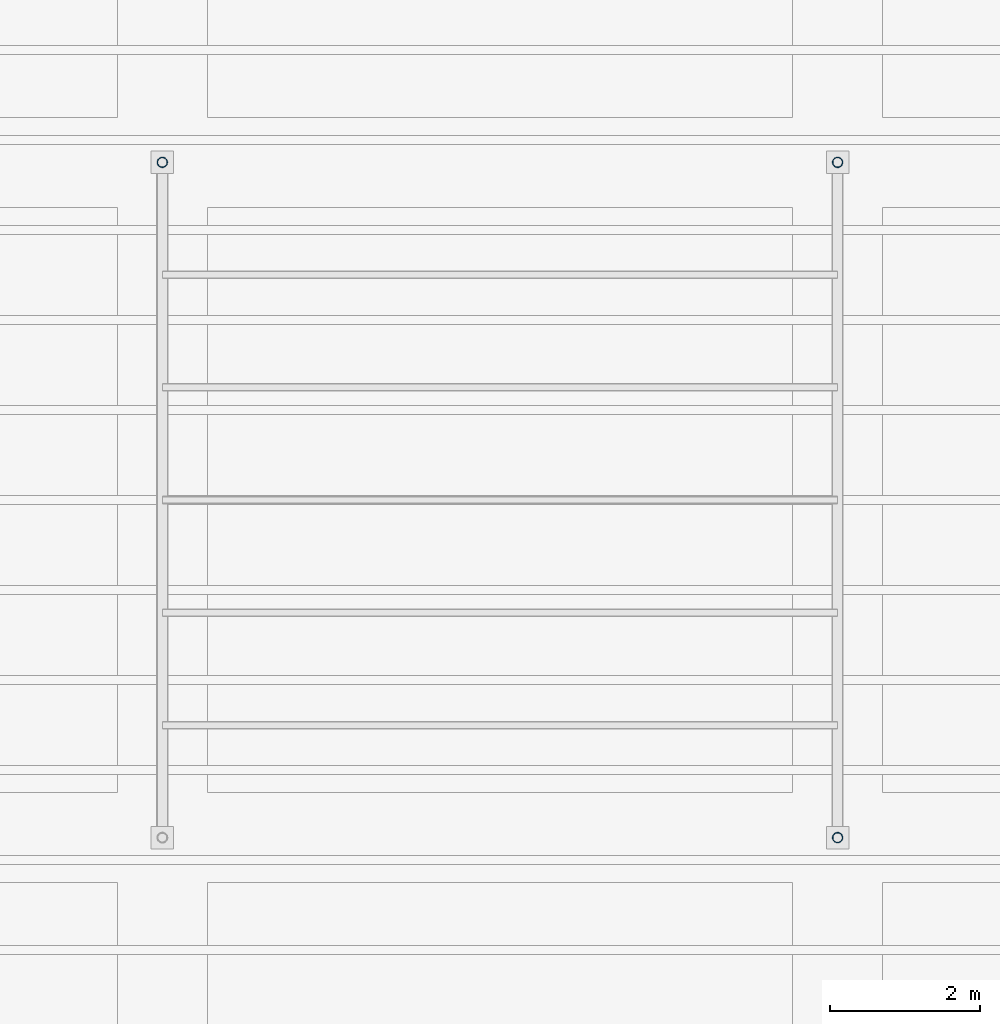
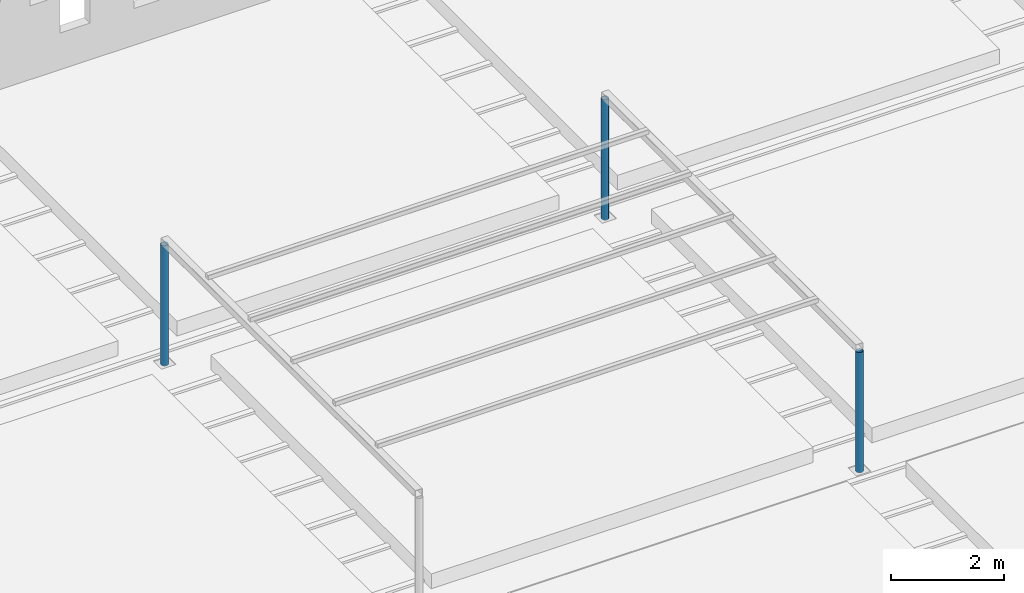
# One storey, part 10 of 153: 3 columns.
"""IFC4 building model written with IfcOpenShell, lengths in metres."""

from ifc_helpers import new_model, si_unit, direction, frame, origin, origin_2d, place, context, subcontext, project, spatial, hollow_circle, extrude, material, material_profile, profile_set, type_object, element, save


model = new_model("IFC4")

# Units and contexts
model_context = context("Model", 3, precision=1e-05, world=origin(), true_north=direction((0.0, 1.0)))
body_context = subcontext(model_context, "Body", "Model", "MODEL_VIEW")
ifc_project = project(units=[si_unit("LENGTHUNIT", "METRE"), si_unit("AREAUNIT", "SQUARE_METRE"), si_unit("VOLUMEUNIT", "CUBIC_METRE"), si_unit("PLANEANGLEUNIT", "RADIAN"), si_unit("MASSUNIT", "GRAM", prefix="KILO")], contexts=[model_context])

# Site, building, storey
site_placement = place(None, origin())
site = spatial("IfcSite", under=ifc_project, at=site_placement, CompositionType="ELEMENT")
building_placement = place(site_placement, origin())
building = spatial("IfcBuilding", under=site, at=building_placement, Name="Baradari Gate Terminus", CompositionType="ELEMENT")
storey_placement = place(building_placement, frame((0.0, 0.0, 11.699951171875)))
storey = spatial("IfcBuildingStorey", under=building, at=storey_placement, Name="L02", CompositionType="ELEMENT", Elevation=11.699951171875)

# Columns
ifc_material = material(Name="Steel S355", Category="steel")
ifc_material_profile = material_profile(ifc_material, hollow_circle(Radius=0.06982421875, WallThickness=0.008056640625, at=origin_2d()), Name="CHS 139.7x8")
ifc_profile_set = profile_set([ifc_material_profile], Name="Steel S355")
column_type = type_object("IfcColumnType", Name="Pergola post CHS 139.7x8", PredefinedType="COLUMN", material=ifc_profile_set)
for number, where, z_axis, x_axis, name in (
    (1, (117.0, 90.0, 0.0), (0.0, 0.0, 1.0), (1.0, 0.0, 0.0), "RF/L02/PGW3-PGC2"),
    (2, (117.0, 99.0, 0.0), (0.0, 0.0, 1.0), (1.0, 0.0, 0.0), "RF/L02/PGW3-PGC3"),
    (3, (108.0, 99.0, 0.0), (0.0, 0.0, 1.0), (1.0, 0.0, 0.0), "RF/L02/PGW3-PGC4"),
):
    element("IfcColumn", number, at=place(storey_placement, frame(where, z_axis=z_axis, x_axis=x_axis)), inside=storey, type_object=column_type, Name=name, PredefinedType="COLUMN", context=body_context, shape_type="SweptSolid", body=[
        extrude(hollow_circle(Radius=0.06982421875, WallThickness=0.008056640625, at=origin_2d()), origin(), (0.0, 0.0, 1.0), 2.60009765625),
    ])

save(model, "model.ifc")
